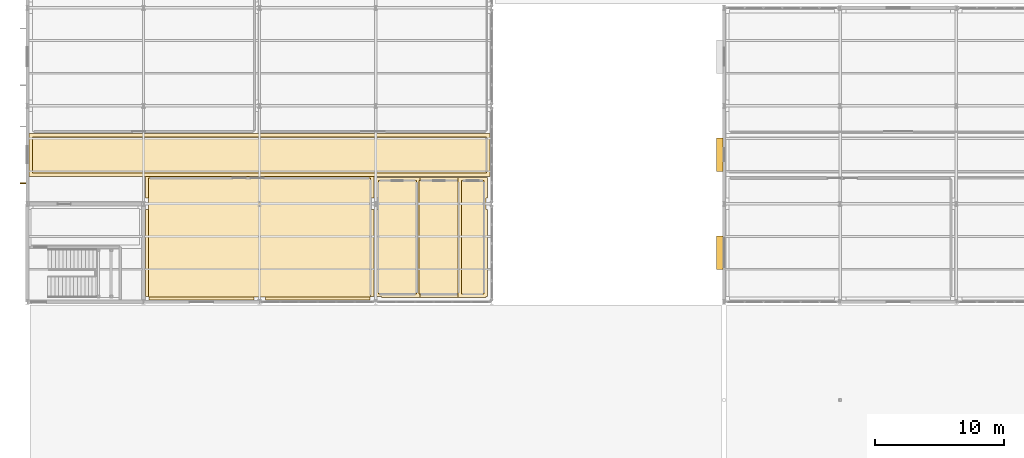
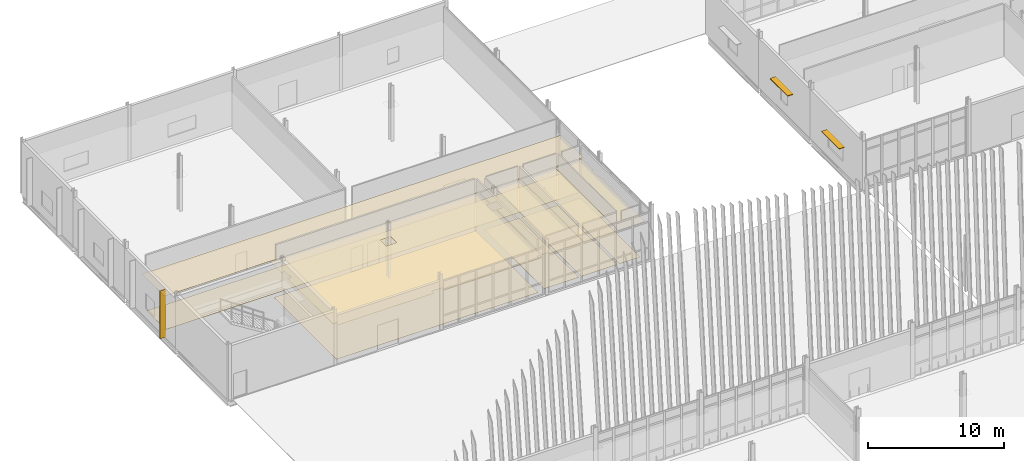
# One storey, part 155 of 161: 10 coverings, 3 shading devices.
"""IFC4 building model written with IfcOpenShell, lengths in metres."""

from ifc_helpers import new_model, si_unit, direction, frame, origin, origin_2d, place, context, subcontext, project, spatial, polyline, rectangle, outline, extrude, material, layer, layer_set, type_object, element, save


model = new_model("IFC4")

# Units and contexts
model_context = context("Model", 3, precision=1e-05, world=origin(), true_north=direction((0.0, 1.0)))
body_context = subcontext(model_context, "Body", "Model", "MODEL_VIEW")
ifc_project = project(units=[si_unit("LENGTHUNIT", "METRE"), si_unit("AREAUNIT", "SQUARE_METRE"), si_unit("VOLUMEUNIT", "CUBIC_METRE"), si_unit("PLANEANGLEUNIT", "RADIAN"), si_unit("MASSUNIT", "GRAM", prefix="KILO")], contexts=[model_context])

# Site, building, storey
site_placement = place(None, origin())
site = spatial("IfcSite", under=ifc_project, at=site_placement, CompositionType="ELEMENT")
building_placement = place(site_placement, origin())
building = spatial("IfcBuilding", under=site, at=building_placement, Name="Caisbarro Railhouse Central Library", CompositionType="ELEMENT")
storey_placement = place(building_placement, origin())
storey = spatial("IfcBuildingStorey", under=building, at=storey_placement, Name="L00", CompositionType="ELEMENT", Elevation=0.0)

# Coverings
ifc_material_1 = material(Name="Perforated mineral-fibre acoustic ceiling tile")
ifc_layer_1 = layer(ifc_material_1, 0.01806640625, Name="Perforated mineral-fibre acoustic ceiling tile")
ifc_layer_set_1 = layer_set([ifc_layer_1], Name="Perforated mineral-fibre acoustic ceiling tile")
covering_type_1 = type_object("IfcCoveringType", Name="COV-CL01", PredefinedType="CEILING", material=ifc_layer_set_1)
covering_1_placement = place(storey_placement, frame((0.0, 0.0, 3.25)))
element("IfcCovering", 1, at=covering_1_placement, inside=storey, type_object=covering_type_1, Name="CL01 acoustic ceiling Children Pavilion Corridor", PredefinedType="CEILING", context=body_context, shape_type="SweptSolid", body=[
    extrude(outline(polyline([(0.139892578125, 93.340087890625), (0.139892578125, 96.659912109375), (35.860107421875, 96.659912109375), (35.860107421875, 93.340087890625), (0.139892578125, 93.340087890625)])), origin(), (0.0, 0.0, 1.0), 0.01806640625),
])
covering_2_placement = place(storey_placement, frame((0.0, 0.0, 3.25)))
element("IfcCovering", 2, at=covering_2_placement, inside=storey, type_object=covering_type_1, Name="CL01 acoustic ceiling Early Childhood Picture-Book Room", PredefinedType="CEILING", context=body_context, shape_type="SweptSolid", body=[
    extrude(outline(polyline([(17.56005859375, 84.0400390625), (17.56005859375, 83.739990234375), (9.43994140625, 83.739990234375), (9.43994140625, 84.0400390625), (9.139892578125, 84.0400390625), (9.139892578125, 90.760009765625), (9.43994140625, 90.760009765625), (9.43994140625, 91.639892578125), (9.139892578125, 91.639892578125), (9.139892578125, 93.4599609375), (26.860107421875, 93.4599609375), (26.860107421875, 91.639892578125), (26.56005859375, 91.639892578125), (26.56005859375, 90.760009765625), (26.860107421875, 90.760009765625), (26.860107421875, 84.0400390625), (26.56005859375, 84.0400390625), (26.56005859375, 83.739990234375), (18.43994140625, 83.739990234375), (18.43994140625, 84.0400390625), (17.56005859375, 84.0400390625)]), holes=[polyline([(17.56005859375, 90.760009765625), (18.43994140625, 90.760009765625), (18.43994140625, 91.639892578125), (17.56005859375, 91.639892578125), (17.56005859375, 90.760009765625)])]), origin(), (0.0, 0.0, 1.0), 0.01806640625),
])
covering_3_placement = place(storey_placement, frame((0.0, 0.0, 3.25)))
element("IfcCovering", 3, at=covering_3_placement, inside=storey, type_object=covering_type_1, Name="CL01 acoustic ceiling Male WC L00-V2", PredefinedType="CEILING", context=body_context, shape_type="SweptSolid", body=[
    extrude(outline(polyline([(30.427978515625, 93.260009765625), (30.427978515625, 83.93994140625), (27.43994140625, 83.93994140625), (27.43994140625, 84.0400390625), (26.93994140625, 84.0400390625), (26.93994140625, 90.760009765625), (27.43994140625, 90.760009765625), (27.43994140625, 91.639892578125), (26.93994140625, 91.639892578125), (26.93994140625, 93.260009765625), (30.427978515625, 93.260009765625)])), origin(), (0.0, 0.0, 1.0), 0.01806640625),
])
covering_4_placement = place(storey_placement, frame((0.0, 0.0, 3.25)))
element("IfcCovering", 4, at=covering_4_placement, inside=storey, type_object=covering_type_1, Name="CL01 acoustic ceiling Female WC L00-V2", PredefinedType="CEILING", context=body_context, shape_type="SweptSolid", body=[
    extrude(outline(polyline([(30.10791015625, 83.93994140625), (30.10791015625, 93.260009765625), (33.696044921875, 93.260009765625), (33.696044921875, 83.93994140625), (30.10791015625, 83.93994140625)])), origin(), (0.0, 0.0, 1.0), 0.01806640625),
])
covering_5_placement = place(storey_placement, frame((0.0, 0.0, 3.25)))
element("IfcCovering", 5, at=covering_5_placement, inside=storey, type_object=covering_type_1, Name="CL01 acoustic ceiling Accessible WC L00-V2", PredefinedType="CEILING", context=body_context, shape_type="SweptSolid", body=[
    extrude(outline(polyline([(35.659912109375, 93.260009765625), (35.659912109375, 91.639892578125), (35.56005859375, 91.639892578125), (35.56005859375, 90.760009765625), (35.659912109375, 90.760009765625), (35.659912109375, 84.0400390625), (35.56005859375, 84.0400390625), (35.56005859375, 83.93994140625), (33.3759765625, 83.93994140625), (33.3759765625, 93.260009765625), (35.659912109375, 93.260009765625)])), origin(), (0.0, 0.0, 1.0), 0.01806640625),
])
ifc_material_2 = material(Name="Polished cementitious terrazzo flooring")
ifc_layer_2 = layer(ifc_material_2, 0.02197265625, Name="Polished cementitious terrazzo flooring")
ifc_layer_set_2 = layer_set([ifc_layer_2], Name="Polished cementitious terrazzo flooring")
covering_type_2 = type_object("IfcCoveringType", Name="COV-FL01", PredefinedType="FLOORING", material=ifc_layer_set_2)
covering_6_placement = place(storey_placement, origin())
element("IfcCovering", 6, at=covering_6_placement, inside=storey, type_object=covering_type_2, Name="FL01 flooring Children Pavilion Corridor", PredefinedType="FLOORING", context=body_context, shape_type="SweptSolid", body=[
    extrude(outline(polyline([(0.39990234375, 93.60009765625), (35.60009765625, 93.60009765625), (35.60009765625, 96.39990234375), (0.39990234375, 96.39990234375), (0.39990234375, 93.60009765625)])), origin(), (0.0, 0.0, 1.0), 0.02197265625),
])
ifc_material_3 = material(Name="Heavy-duty acoustic linoleum flooring")
ifc_layer_3 = layer(ifc_material_3, 0.011962890625, Name="Heavy-duty acoustic linoleum flooring")
ifc_layer_set_3 = layer_set([ifc_layer_3], Name="Heavy-duty acoustic linoleum flooring")
covering_type_3 = type_object("IfcCoveringType", Name="COV-FL02", PredefinedType="FLOORING", material=ifc_layer_set_3)
covering_7_placement = place(storey_placement, origin())
element("IfcCovering", 7, at=covering_7_placement, inside=storey, type_object=covering_type_3, Name="FL02 flooring Early Childhood Picture-Book Room", PredefinedType="FLOORING", context=body_context, shape_type="SweptSolid", body=[
    extrude(outline(polyline([(9.39990234375, 84.0), (26.60009765625, 84.0), (26.60009765625, 93.199951171875), (9.39990234375, 93.199951171875), (9.39990234375, 84.0)])), origin(), (0.0, 0.0, 1.0), 0.011962890625),
])
covering_8_placement = place(storey_placement, origin())
element("IfcCovering", 8, at=covering_8_placement, inside=storey, type_object=covering_type_3, Name="FL02 flooring Male WC L00-V2", PredefinedType="FLOORING", context=body_context, shape_type="SweptSolid", body=[
    extrude(outline(polyline([(27.199951171875, 84.199951171875), (30.16796875, 84.199951171875), (30.16796875, 93.0), (27.199951171875, 93.0), (27.199951171875, 84.199951171875)])), origin(), (0.0, 0.0, 1.0), 0.011962890625),
])
covering_9_placement = place(storey_placement, origin())
element("IfcCovering", 9, at=covering_9_placement, inside=storey, type_object=covering_type_3, Name="FL02 flooring Female WC L00-V2", PredefinedType="FLOORING", context=body_context, shape_type="SweptSolid", body=[
    extrude(outline(polyline([(30.367919921875, 84.199951171875), (33.43603515625, 84.199951171875), (33.43603515625, 93.0), (30.367919921875, 93.0), (30.367919921875, 84.199951171875)])), origin(), (0.0, 0.0, 1.0), 0.011962890625),
])
covering_10_placement = place(storey_placement, origin())
element("IfcCovering", 10, at=covering_10_placement, inside=storey, type_object=covering_type_3, Name="FL02 flooring Accessible WC L00-V2", PredefinedType="FLOORING", context=body_context, shape_type="SweptSolid", body=[
    extrude(outline(polyline([(33.635986328125, 84.199951171875), (35.39990234375, 84.199951171875), (35.39990234375, 93.0), (33.635986328125, 93.0), (33.635986328125, 84.199951171875)])), origin(), (0.0, 0.0, 1.0), 0.011962890625),
])

# Shading devices
ifc_material_4 = material(Name="White powder-coated aluminium", Category="aluminium")
shading_device_type_1 = type_object("IfcShadingDeviceType", Name="SHD-FIN01", PredefinedType="USERDEFINED", material=ifc_material_4)
shading_device_placement = place(storey_placement, frame((-0.340087890625, 92.800048828125, 0.02490234375), z_axis=(0.0, 0.0, 1.0), x_axis=(1.0, 0.0, 0.0)))
element("IfcShadingDevice", 11, at=shading_device_placement, inside=storey, type_object=shading_device_type_1, Name="SFN1 West Solar Fin L00-10", ObjectType="FIN", PredefinedType="USERDEFINED", context=body_context, shape_type="SweptSolid", body=[
    extrude(rectangle(XDim=0.4599609375, YDim=0.06005859375, at=origin_2d()), origin(), (0.0, 0.0, 1.0), 4.300048828125),
])
ifc_material_5 = material(Name="Anodised architectural aluminium", Category="aluminium")
ifc_layer_4 = layer(ifc_material_5, 0.050048828125, Name="Anodised architectural aluminium")
ifc_layer_set_4 = layer_set([ifc_layer_4], Name="Anodised architectural aluminium")
shading_device_type_2 = type_object("IfcShadingDeviceType", Name="SHD-JAL01", PredefinedType="JALOUSIE", material=ifc_layer_set_4)
for number, where, z_axis, x_axis, name in (
    (12, (53.669921875, 87.39990234375, 2.23486328125), (0.0, 0.0, 1.0), (0.0, 1.0, 0.0), "JL01 solar brise-soleil L00-43"),
    (13, (53.669921875, 95.0, 2.384765625), (0.0, 0.0, 1.0), (0.0, 1.0, 0.0), "JL01 solar brise-soleil L00-44"),
):
    element("IfcShadingDevice", number, at=place(storey_placement, frame(where, z_axis=z_axis, x_axis=x_axis)), inside=storey, type_object=shading_device_type_2, Name=name, PredefinedType="JALOUSIE", context=body_context, shape_type="SweptSolid", body=[
        extrude(rectangle(XDim=2.60009765625, YDim=0.47998046875, at=origin_2d()), origin(), (0.0, 0.0, 1.0), 0.050048828125),
    ])

save(model, "model.ifc")
